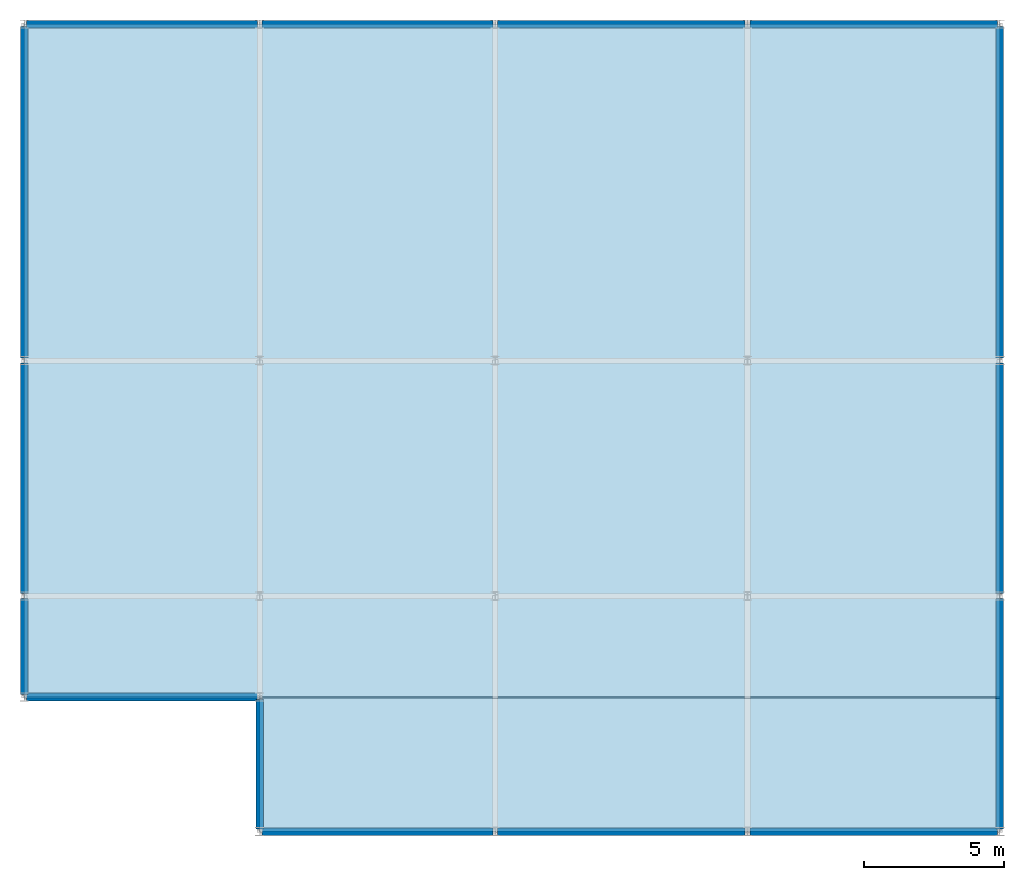
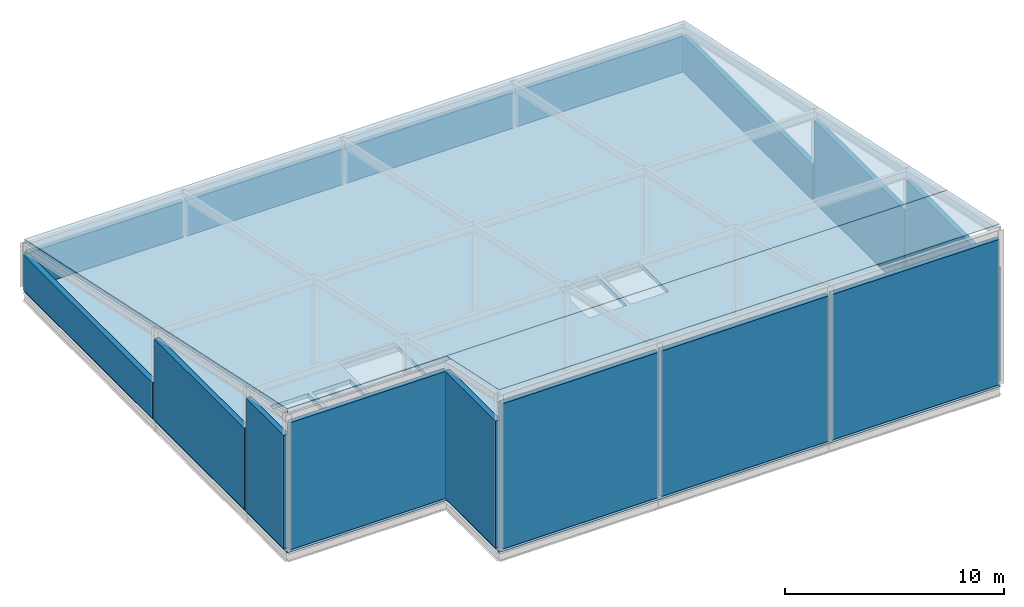
# One storey, part 4 of 5: 15 walls, 2 roofs, 2 slabs.
"""IFC4 building model written with IfcOpenShell, lengths in metres."""

from ifc_helpers import new_model, si_unit, direction, frame, frame_2d, origin, place, context, subcontext, project, spatial, polyline, rectangle, outline, extrude, material, layer, layer_set, type_object, element, save


model = new_model("IFC4")

# Units and contexts
model_context = context("Model", 3, precision=1e-05, world=origin(), true_north=direction((0.0, 1.0)))
body_context = subcontext(model_context, "Body", "Model", "MODEL_VIEW")
ifc_project = project(units=[si_unit("LENGTHUNIT", "METRE"), si_unit("AREAUNIT", "SQUARE_METRE"), si_unit("VOLUMEUNIT", "CUBIC_METRE"), si_unit("PLANEANGLEUNIT", "RADIAN"), si_unit("MASSUNIT", "GRAM", prefix="KILO")], contexts=[model_context])

# Site, building, storey
site_placement = place(None, origin())
site = spatial("IfcSite", under=ifc_project, at=site_placement, CompositionType="ELEMENT")
building_placement = place(site_placement, origin())
building = spatial("IfcBuilding", under=site, at=building_placement, Name="Yukiwa Park Conservatory and Herbarium", CompositionType="ELEMENT")
storey_placement = place(building_placement, frame((0.0, 0.0, 65.39990234375)))
storey = spatial("IfcBuildingStorey", under=building, at=storey_placement, Name="RF", CompositionType="ELEMENT", Elevation=65.39990234375)

# Slabs
ifc_material_1 = material(Name="Concrete C40", Category="concrete")
ifc_layer_1 = layer(ifc_material_1, 0.219970703125)
ifc_layer_set_1 = layer_set([ifc_layer_1], Name="Concrete C40")
slab_type_1 = type_object("IfcSlabType", Name="SL-ROOF-220", PredefinedType="ROOF", material=ifc_layer_set_1)
slab_1_placement = place(storey_placement, frame((133.199951171875, 91.199951171875, 7.801513671875), z_axis=(0.0, 0.20791016533, 0.978147924985), x_axis=(1.0, 0.0, 0.0)))
element("IfcSlab", 1, at=slab_1_placement, inside=storey, type_object=slab_type_1, Name="Tower Crown Main sloped roof slab", PredefinedType="ROOF", context=body_context, shape_type="SweptSolid", body=[
    extrude(outline(polyline([(0.0, 0.0), (34.800048828125, 0.0), (34.800048828125, 24.53616614313851), (0.0, 24.53616614313851), (0.0, 0.0)])), origin(), (0.0, 0.0, -1.0), 0.219970703125),
])
ifc_material_2 = material(Name="Concrete C40", Category="concrete")
ifc_layer_2 = layer(ifc_material_2, 0.239990234375)
ifc_layer_set_2 = layer_set([ifc_layer_2], Name="Concrete C40")
slab_type_2 = type_object("IfcSlabType", Name="SL-ROOF-ATTIC-240", PredefinedType="ROOF", material=ifc_layer_set_2)
slab_2_placement = place(storey_placement, frame((0.0, 0.0, -0.239990234375)))
element("IfcSlab", 2, at=slab_2_placement, inside=storey, type_object=slab_type_2, Name="Tower RF structural crown roof deck", PredefinedType="ROOF", context=body_context, shape_type="SweptSolid", body=[
    extrude(outline(polyline([(141.60009765625, 91.199951171875), (133.199951171875, 91.199951171875), (133.199951171875, 115.199951171875), (168.0, 115.199951171875), (168.0, 86.39990234375), (141.60009765625, 86.39990234375), (141.60009765625, 91.199951171875)]), holes=[polyline([(138.219970703125, 98.5400390625), (140.219970703125, 98.5400390625), (140.219970703125, 101.43994140625), (138.219970703125, 101.43994140625), (138.219970703125, 98.5400390625)]), polyline([(140.43994140625, 98.5400390625), (142.43994140625, 98.5400390625), (142.43994140625, 101.43994140625), (140.43994140625, 101.43994140625), (140.43994140625, 98.5400390625)]), polyline([(142.659912109375, 99.60009765625), (145.659912109375, 99.60009765625), (145.659912109375, 102.949951171875), (142.659912109375, 102.949951171875), (142.659912109375, 99.60009765625)]), polyline([(154.330078125, 102.949951171875), (154.330078125, 100.25), (156.330078125, 100.25), (156.330078125, 102.949951171875), (154.330078125, 102.949951171875)]), polyline([(156.550048828125, 102.949951171875), (156.550048828125, 100.25), (158.550048828125, 100.25), (158.550048828125, 102.949951171875), (156.550048828125, 102.949951171875)])]), origin(), (0.0, 0.0, 1.0), 0.239990234375),
])

# Walls
ifc_material_3 = material(Name="Anodised Aluminium", Category="aluminium")
ifc_layer_3 = layer(ifc_material_3, 0.27001953125)
ifc_layer_set_3 = layer_set([ifc_layer_3], Name="Anodised Aluminium")
wall_type = type_object("IfcWallType", Name="WL-EXT-CROWN-270", PredefinedType="SOLIDWALL", material=ifc_layer_set_3)
wall_1_placement = place(storey_placement, frame((141.68505859375, 86.39990234375, 0.0), z_axis=(0.0, 0.0, 1.0), x_axis=(1.0, 0.0, 0.0)))
element("IfcWall", 3, at=wall_1_placement, inside=storey, type_object=wall_type, Name="Tower crown attic enclosure wall 1", PredefinedType="SOLIDWALL", context=body_context, shape_type="SweptSolid", body=[
    extrude(rectangle(XDim=8.22998046875, YDim=0.27001953125, at=frame_2d((4.114990234375, 0.0))), origin(), (0.0, 0.0, 1.0), 8.101806640625),
])
for number, where, z_axis, x_axis, name in (
    (4, (150.0849609375, 86.39990234375, 0.0), (0.0, 0.0, 1.0), (1.0, 0.0, 0.0), "Tower crown attic enclosure wall 2"),
    (5, (159.0849609375, 86.39990234375, 0.0), (0.0, 0.0, 1.0), (1.0, 0.0, 0.0), "Tower crown attic enclosure wall 3"),
):
    element("IfcWall", number, at=place(storey_placement, frame(where, z_axis=z_axis, x_axis=x_axis)), inside=storey, type_object=wall_type, Name=name, PredefinedType="SOLIDWALL", context=body_context, shape_type="SweptSolid", body=[
        extrude(rectangle(XDim=8.830078125, YDim=0.27001953125, at=frame_2d((4.4150390625, 0.0))), origin(), (0.0, 0.0, 1.0), 8.101806640625),
    ])
wall_2_placement = place(storey_placement, frame((168.0, 86.485107421875, 0.0), z_axis=(0.0, 0.0, 1.0), x_axis=(0.0, 1.0, 0.0)))
element("IfcWall", 6, at=wall_2_placement, inside=storey, type_object=wall_type, Name="Tower crown attic enclosure wall 4", PredefinedType="SOLIDWALL", context=body_context, shape_type="SweptSolid", body=[
    extrude(rectangle(XDim=8.22998046875, YDim=0.27001953125, at=frame_2d((4.114990234375, 0.0))), origin(), (0.0, 0.0, 1.0), 6.31640625),
])
wall_3_placement = place(storey_placement, frame((168.0, 94.885009765625, 0.0), z_axis=(0.0, 0.0, 1.0), x_axis=(0.0, 1.0, 0.0)))
element("IfcWall", 7, at=wall_3_placement, inside=storey, type_object=wall_type, Name="Tower crown attic enclosure wall 5", PredefinedType="SOLIDWALL", context=body_context, shape_type="SweptSolid", body=[
    extrude(rectangle(XDim=8.22998046875, YDim=0.27001953125, at=frame_2d((4.114990234375, 0.0))), origin(), (0.0, 0.0, 1.0), 4.53076171875),
])
wall_4_placement = place(storey_placement, frame((168.0, 103.284912109375, 0.0), z_axis=(0.0, 0.0, 1.0), x_axis=(0.0, 1.0, 0.0)))
element("IfcWall", 8, at=wall_4_placement, inside=storey, type_object=wall_type, Name="Tower crown attic enclosure wall 6", PredefinedType="SOLIDWALL", context=body_context, shape_type="SweptSolid", body=[
    extrude(rectangle(XDim=11.830078125, YDim=0.27001953125, at=frame_2d((5.9150390625, 0.0))), origin(), (0.0, 0.0, 1.0), 1.97998046875),
])
for number, where, z_axis, x_axis, name in (
    (9, (167.9150390625, 115.199951171875, 0.0), (0.0, 0.0, 1.0), (-1.0, 0.0, 0.0), "Tower crown attic enclosure wall 7"),
    (10, (158.9150390625, 115.199951171875, 0.0), (0.0, 0.0, 1.0), (-1.0, 0.0, 0.0), "Tower crown attic enclosure wall 8"),
):
    element("IfcWall", number, at=place(storey_placement, frame(where, z_axis=z_axis, x_axis=x_axis)), inside=storey, type_object=wall_type, Name=name, PredefinedType="SOLIDWALL", context=body_context, shape_type="SweptSolid", body=[
        extrude(rectangle(XDim=8.830078125, YDim=0.27001953125, at=frame_2d((4.4150390625, 0.0))), origin(), (0.0, 0.0, 1.0), 1.97998046875),
    ])
for number, where, z_axis, x_axis, name in (
    (11, (149.9150390625, 115.199951171875, 0.0), (0.0, 0.0, 1.0), (-1.0, 0.0, 0.0), "Tower crown attic enclosure wall 9"),
    (12, (141.514892578125, 115.199951171875, 0.0), (0.0, 0.0, 1.0), (-1.0, 0.0, 0.0), "Tower crown attic enclosure wall 10"),
):
    element("IfcWall", number, at=place(storey_placement, frame(where, z_axis=z_axis, x_axis=x_axis)), inside=storey, type_object=wall_type, Name=name, PredefinedType="SOLIDWALL", context=body_context, shape_type="SweptSolid", body=[
        extrude(rectangle(XDim=8.22998046875, YDim=0.27001953125, at=frame_2d((4.114990234375, 0.0))), origin(), (0.0, 0.0, 1.0), 1.97998046875),
    ])
wall_5_placement = place(storey_placement, frame((133.199951171875, 115.114990234375, 0.0), z_axis=(0.0, 0.0, 1.0), x_axis=(0.0, -1.0, 0.0)))
element("IfcWall", 13, at=wall_5_placement, inside=storey, type_object=wall_type, Name="Tower crown attic enclosure wall 11", PredefinedType="SOLIDWALL", context=body_context, shape_type="SweptSolid", body=[
    extrude(rectangle(XDim=11.830078125, YDim=0.27001953125, at=frame_2d((5.9150390625, 0.0))), origin(), (0.0, 0.0, 1.0), 1.97998046875),
])
wall_6_placement = place(storey_placement, frame((133.199951171875, 103.114990234375, 0.0), z_axis=(0.0, 0.0, 1.0), x_axis=(0.0, -1.0, 0.0)))
element("IfcWall", 14, at=wall_6_placement, inside=storey, type_object=wall_type, Name="Tower crown attic enclosure wall 12", PredefinedType="SOLIDWALL", context=body_context, shape_type="SweptSolid", body=[
    extrude(rectangle(XDim=8.22998046875, YDim=0.27001953125, at=frame_2d((4.114990234375, 0.0))), origin(), (0.0, 0.0, 1.0), 4.53076171875),
])
wall_7_placement = place(storey_placement, frame((133.199951171875, 94.715087890625, 0.0), z_axis=(0.0, 0.0, 1.0), x_axis=(0.0, -1.0, 0.0)))
element("IfcWall", 15, at=wall_7_placement, inside=storey, type_object=wall_type, Name="Tower crown attic enclosure wall 13", PredefinedType="SOLIDWALL", context=body_context, shape_type="SweptSolid", body=[
    extrude(rectangle(XDim=3.43017578125, YDim=0.27001953125, at=frame_2d((1.715087890625, 0.0))), origin(), (0.0, 0.0, 1.0), 6.31640625),
])
wall_8_placement = place(storey_placement, frame((133.284912109375, 91.199951171875, 0.0), z_axis=(0.0, 0.0, 1.0), x_axis=(1.0, 0.0, 0.0)))
element("IfcWall", 16, at=wall_8_placement, inside=storey, type_object=wall_type, Name="Tower crown attic enclosure wall 14", PredefinedType="SOLIDWALL", context=body_context, shape_type="SweptSolid", body=[
    extrude(rectangle(XDim=8.22998046875, YDim=0.27001953125, at=frame_2d((4.114990234375, 0.0))), origin(), (0.0, 0.0, 1.0), 7.08154296875),
])
wall_9_placement = place(storey_placement, frame((141.60009765625, 91.114990234375, 0.0), z_axis=(0.0, 0.0, 1.0), x_axis=(0.0, -1.0, 0.0)))
element("IfcWall", 17, at=wall_9_placement, inside=storey, type_object=wall_type, Name="Tower crown attic enclosure wall 15", PredefinedType="SOLIDWALL", context=body_context, shape_type="SweptSolid", body=[
    extrude(rectangle(XDim=4.6298828125, YDim=0.27001953125, at=frame_2d((2.31494140625, 0.0))), origin(), (0.0, 0.0, 1.0), 7.08154296875),
])

# Roofs
ifc_material_4 = material(Name="Anodised Aluminium", Category="aluminium")
roof_type = type_object("IfcRoofType", Name="RF-MONO-PITCH-SNOW", PredefinedType="SHED_ROOF", material=ifc_material_4)
roof_1_placement = place(storey_placement, frame((141.60009765625, 86.39990234375, 8.83984375), z_axis=(0.0, 0.2079081418, 0.978148355094), x_axis=(1.0, 0.0, 0.0)))
element("IfcRoof", 18, at=roof_1_placement, inside=storey, type_object=roof_type, Name="Tower Crown South Wing snow-shedding mono-pitch roof", PredefinedType="SHED_ROOF", context=body_context, shape_type="SweptSolid", body=[
    extrude(outline(polyline([(0.0, 0.0), (26.39990234375, 0.0), (26.39990234375, 4.907280989767352), (0.0, 4.907280989767352), (0.0, 0.0)])), origin(), (0.0, 0.0, -1.0), 0.02001953125),
])
roof_2_placement = place(storey_placement, frame((133.199951171875, 91.199951171875, 7.819580078125), z_axis=(0.0, 0.20791968542, 0.978145901394), x_axis=(1.0, 0.0, 0.0)))
element("IfcRoof", 19, at=roof_2_placement, inside=storey, type_object=roof_type, Name="Tower Crown Main snow-shedding mono-pitch roof", PredefinedType="SHED_ROOF", context=body_context, shape_type="SweptSolid", body=[
    extrude(outline(polyline([(0.0, 0.0), (34.800048828125, 0.0), (34.800048828125, 24.53621690361834), (0.0, 24.53621690361834), (0.0, 0.0)])), origin(), (0.0, 0.0, -1.0), 0.02001953125),
])

save(model, "model.ifc")
